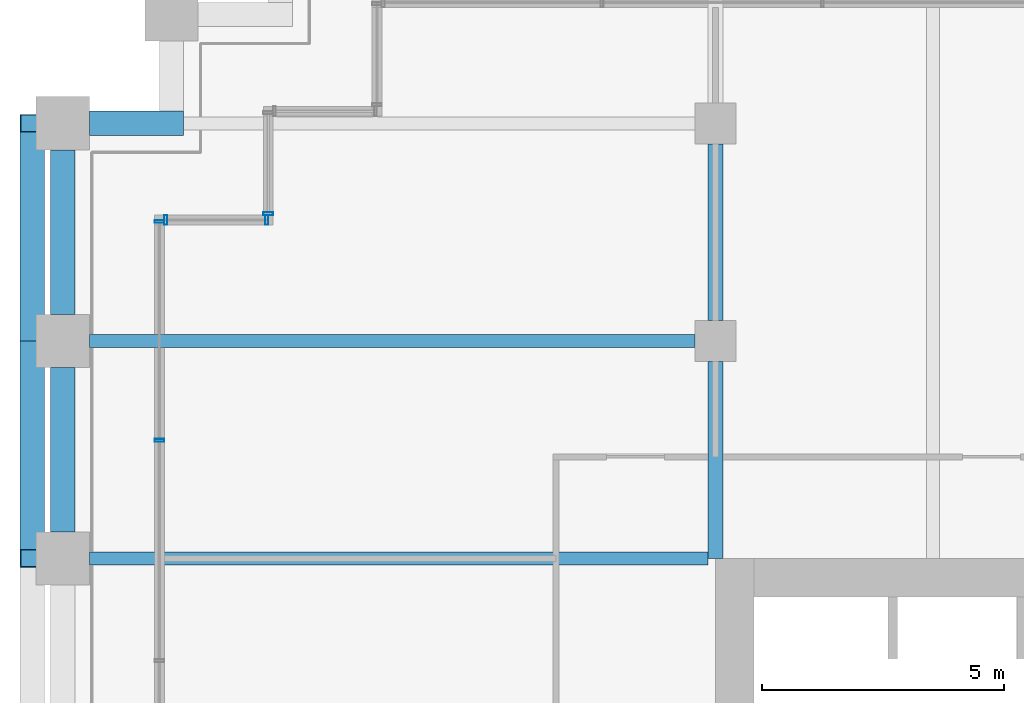
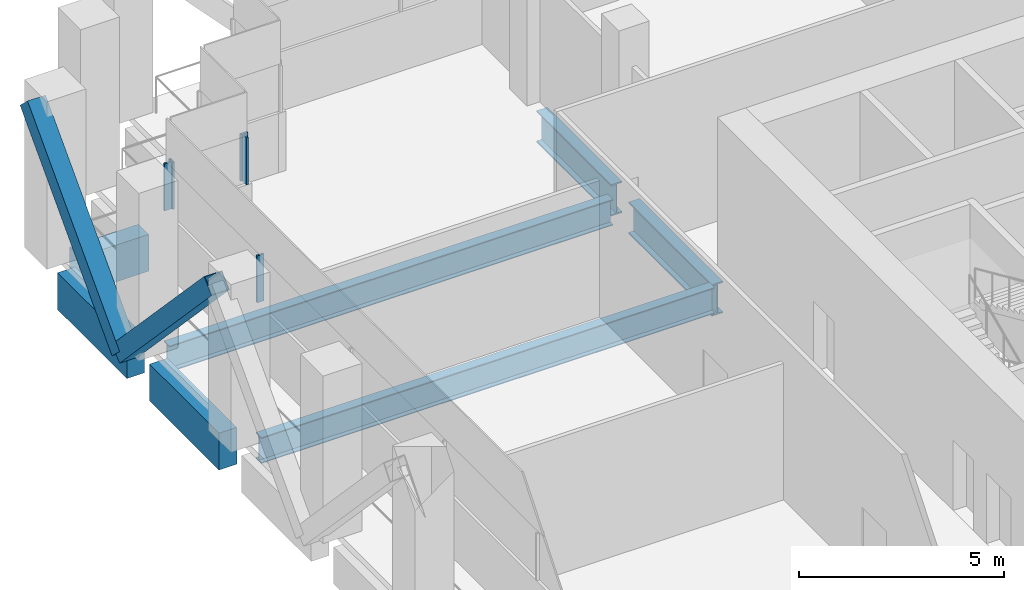
# One storey, part 17 of 44: 7 beams, 7 members, 3 elements without a shape of their own.
"""IFC4 building model written with IfcOpenShell, lengths in metres."""

from ifc_helpers import new_model, si_unit, direction, frame, origin, origin_2d, place, context, subcontext, project, spatial, rectangle, hollow_rectangle, i_section, extrude, material, material_profile, profile_set, type_object, element, aggregate, save


model = new_model("IFC4")

# Units and contexts
model_context = context("Model", 3, precision=1e-05, world=origin(), true_north=direction((0.0, 1.0)))
body_context = subcontext(model_context, "Body", "Model", "MODEL_VIEW")
ifc_project = project(units=[si_unit("LENGTHUNIT", "METRE"), si_unit("AREAUNIT", "SQUARE_METRE"), si_unit("VOLUMEUNIT", "CUBIC_METRE"), si_unit("PLANEANGLEUNIT", "RADIAN"), si_unit("MASSUNIT", "GRAM", prefix="KILO")], contexts=[model_context])

# Site, building, storey
site_placement = place(None, origin())
site = spatial("IfcSite", under=ifc_project, at=site_placement, CompositionType="ELEMENT")
building_placement = place(site_placement, origin())
building = spatial("IfcBuilding", under=site, at=building_placement, Name="Altepetl Exchange Towers", CompositionType="ELEMENT")
storey_placement = place(building_placement, frame((0.0, 0.0, 87.0)))
storey = spatial("IfcBuildingStorey", under=building, at=storey_placement, Name="L21 Refuge", CompositionType="ELEMENT", Elevation=87.0)

# Members
ifc_material_1 = material(Name="Steel S355", Category="steel")
ifc_material_profile_1 = material_profile(ifc_material_1, hollow_rectangle(XDim=0.508056640625, YDim=0.508056640625, WallThickness=0.017578125, at=origin_2d()), Name="HSS508X508X19.0")
ifc_profile_set_1 = profile_set([ifc_material_profile_1], Name="Steel S355")
member_type_1 = type_object("IfcMemberType", Name="Belt diagonal HSS508X508X19.0", PredefinedType="BRACE", material=ifc_profile_set_1)
for number, where, z_axis, x_axis, name in (
    (1, (26.3701171875, 67.5, 4.75), (0.0, -0.687744647911, -0.725952683906), (1.0, 0.0, 0.0), "brc:A:L21:021"),
    (2, (26.3701171875, 63.0, 0.0), (0.0, -0.687744647911, 0.725952683906), (1.0, 0.0, 0.0), "brc:A:L21:022"),
):
    element("IfcMember", number, at=place(storey_placement, frame(where, z_axis=z_axis, x_axis=x_axis)), inside=storey, type_object=member_type_1, Name=name, PredefinedType="BRACE", context=body_context, shape_type="SweptSolid", body=[
        extrude(hollow_rectangle(XDim=0.508056640625, YDim=0.508056640625, WallThickness=0.017578125, at=origin_2d()), origin(), (0.0, 0.0, 1.0), 6.543212890625),
    ])

# Beams
ifc_material_profile_2 = material_profile(ifc_material_1, i_section(OverallWidth=0.26806640625, OverallDepth=0.77392578125, WebThickness=0.015380859375, FlangeThickness=0.025390625, at=origin_2d()), Name="W30X132")
ifc_profile_set_2 = profile_set([ifc_material_profile_2], Name="Steel S355")
beam_type_1 = type_object("IfcBeamType", Name="Floor beam W30X132", PredefinedType="BEAM", material=ifc_profile_set_2)
beam_1_placement = place(storey_placement, frame((27.550048828125, 58.5, -0.5869140625), z_axis=(1.0, 0.0, 0.0), x_axis=(0.0, 1.0, 0.0)))
element("IfcBeam", 3, at=beam_1_placement, inside=storey, type_object=beam_type_1, Name="bm:A:L21:021", PredefinedType="BEAM", context=body_context, shape_type="SweptSolid", body=[
    extrude(i_section(OverallWidth=0.26806640625, OverallDepth=0.77392578125, WebThickness=0.015380859375, FlangeThickness=0.025390625, at=origin_2d()), origin(), (0.0, 0.0, 1.0), 12.7958984375),
])
beam_2_placement = place(storey_placement, frame((27.550048828125, 63.0, -0.5869140625), z_axis=(1.0, 0.0, 0.0), x_axis=(0.0, 1.0, 0.0)))
element("IfcBeam", 4, at=beam_2_placement, inside=storey, type_object=beam_type_1, Name="bm:A:L21:022", PredefinedType="BEAM", context=body_context, shape_type="SweptSolid", body=[
    extrude(i_section(OverallWidth=0.26806640625, OverallDepth=0.77392578125, WebThickness=0.015380859375, FlangeThickness=0.025390625, at=origin_2d()), origin(), (0.0, 0.0, 1.0), 12.52490234375),
])
ifc_material_profile_3 = material_profile(ifc_material_1, i_section(OverallWidth=0.30810546875, OverallDepth=0.943115234375, WebThickness=0.022216796875, FlangeThickness=0.039794921875, at=origin_2d()), Name="W36X232")
ifc_profile_set_3 = profile_set([ifc_material_profile_3], Name="Steel S355")
beam_type_2 = type_object("IfcBeamType", Name="Girder W36X232", PredefinedType="BEAM", material=ifc_profile_set_3)
beam_3_placement = place(storey_placement, frame((40.5, 67.074951171875, -0.67138671875), z_axis=(0.0, -1.0, 0.0), x_axis=(1.0, 0.0, 0.0)))
element("IfcBeam", 5, at=beam_3_placement, inside=storey, type_object=beam_type_2, Name="gd:A:L21:004", PredefinedType="BEAM", context=body_context, shape_type="SweptSolid", body=[
    extrude(i_section(OverallWidth=0.30810546875, OverallDepth=0.943115234375, WebThickness=0.022216796875, FlangeThickness=0.039794921875, at=origin_2d()), origin(), (0.0, 0.0, 1.0), 3.64990234375),
])
beam_4_placement = place(storey_placement, frame((40.5, 62.574951171875, -0.67138671875), z_axis=(0.0, -1.0, 0.0), x_axis=(1.0, 0.0, 0.0)))
element("IfcBeam", 6, at=beam_4_placement, inside=storey, type_object=beam_type_2, Name="gd:A:L21:005", PredefinedType="BEAM", context=body_context, shape_type="SweptSolid", body=[
    extrude(i_section(OverallWidth=0.30810546875, OverallDepth=0.943115234375, WebThickness=0.022216796875, FlangeThickness=0.039794921875, at=origin_2d()), origin(), (0.0, 0.0, 1.0), 4.074951171875),
])

# Curtain wall, members
ifc_material_2 = material(Name="Aluminium 6063-T6 glazing", Category="aluminium")
curtain_wall_type = type_object("IfcCurtainWallType", Name="Refuge slit glazing system", PredefinedType="NOTDEFINED", material=ifc_material_2)
curtain_wall_1_placement = place(storey_placement, origin())
curtain_wall_1 = element("IfcCurtainWall", 7, at=curtain_wall_1_placement, inside=storey, type_object=curtain_wall_type, Name="CW3 run", PredefinedType="NOTDEFINED")
ifc_material_3 = material(Name="Aluminium 6063-T6", Category="aluminium")
ifc_material_profile_4 = material_profile(ifc_material_3, hollow_rectangle(XDim=0.06005859375, YDim=0.199951171875, WallThickness=0.0029296875, at=origin_2d()), Name="Mullion 60x200 aluminium")
ifc_profile_set_4 = profile_set([ifc_material_profile_4], Name="Aluminium 6063-T6")
member_type_2 = type_object("IfcMemberType", Name="Mullion 60x200 aluminium", PredefinedType="MULLION", material=ifc_profile_set_4)
member_1_placement = place(storey_placement, frame((31.219970703125, 65.5, 1.800048828125), z_axis=(0.0, 0.0, 1.0), x_axis=(-1.0, 0.0, 0.0)))
member_1 = element("IfcMember", 8, at=member_1_placement, type_object=member_type_2, Name="MU2 mullion", PredefinedType="MULLION", context=body_context, shape_type="SweptSolid", body=[
    extrude(hollow_rectangle(XDim=0.06005859375, YDim=0.199951171875, WallThickness=0.0029296875, at=origin_2d()), origin(), (0.0, 0.0, 1.0), 1.39990234375),
])
member_2_placement = place(storey_placement, frame((29.1298828125, 65.5, 1.800048828125), z_axis=(0.0, 0.0, 1.0), x_axis=(-1.0, 0.0, 0.0)))
member_2 = element("IfcMember", 9, at=member_2_placement, type_object=member_type_2, Name="MU2 mullion", PredefinedType="MULLION", context=body_context, shape_type="SweptSolid", body=[
    extrude(hollow_rectangle(XDim=0.06005859375, YDim=0.199951171875, WallThickness=0.0029296875, at=origin_2d()), origin(), (0.0, 0.0, 1.0), 1.39990234375),
])
aggregate(curtain_wall_1, [member_1, member_2])

curtain_wall_2_placement = place(storey_placement, origin())
curtain_wall_2 = element("IfcCurtainWall", 10, at=curtain_wall_2_placement, inside=storey, type_object=curtain_wall_type, Name="CW3 run", PredefinedType="NOTDEFINED")
member_3_placement = place(storey_placement, frame((29.0, 65.469970703125, 1.800048828125), z_axis=(0.0, 0.0, 1.0), x_axis=(0.0, -1.0, 0.0)))
member_3 = element("IfcMember", 11, at=member_3_placement, type_object=member_type_2, Name="MU2 mullion", PredefinedType="MULLION", context=body_context, shape_type="SweptSolid", body=[
    extrude(hollow_rectangle(XDim=0.06005859375, YDim=0.199951171875, WallThickness=0.0029296875, at=origin_2d()), origin(), (0.0, 0.0, 1.0), 1.39990234375),
])
member_4_placement = place(storey_placement, frame((29.0, 60.94287109375, 1.800048828125), z_axis=(0.0, 0.0, 1.0), x_axis=(0.0, -1.0, 0.0)))
member_4 = element("IfcMember", 12, at=member_4_placement, type_object=member_type_2, Name="MU2 mullion", PredefinedType="MULLION", context=body_context, shape_type="SweptSolid", body=[
    extrude(hollow_rectangle(XDim=0.06005859375, YDim=0.199951171875, WallThickness=0.0029296875, at=origin_2d()), origin(), (0.0, 0.0, 1.0), 1.39990234375),
])
aggregate(curtain_wall_2, [member_3, member_4])

# Curtain wall, member
curtain_wall_3_placement = place(storey_placement, origin())
curtain_wall_3 = element("IfcCurtainWall", 13, at=curtain_wall_3_placement, inside=storey, type_object=curtain_wall_type, Name="CW3 run", PredefinedType="NOTDEFINED")
member_5_placement = place(storey_placement, frame((31.25, 65.6298828125, 1.800048828125), z_axis=(0.0, 0.0, 1.0), x_axis=(0.0, -1.0, 0.0)))
member_5 = element("IfcMember", 14, at=member_5_placement, type_object=member_type_2, Name="MU2 mullion", PredefinedType="MULLION", context=body_context, shape_type="SweptSolid", body=[
    extrude(hollow_rectangle(XDim=0.06005859375, YDim=0.199951171875, WallThickness=0.0029296875, at=origin_2d()), origin(), (0.0, 0.0, 1.0), 1.39990234375),
])
aggregate(curtain_wall_3, [member_5])

# Beams
ifc_material_4 = material(Name="Concrete C50/60 precast with tezontle facing", Category="concrete")
ifc_material_profile_5 = material_profile(ifc_material_4, rectangle(XDim=0.5, YDim=1.10009765625, at=origin_2d()), Name="500 x 1100")
ifc_profile_set_5 = profile_set([ifc_material_profile_5], Name="Concrete C50/60 precast with tezontle facing")
beam_type_3 = type_object("IfcBeamType", Name="Spandrel beam 500x1100 tezontle", PredefinedType="SPANDREL", material=ifc_profile_set_5)
beam_5_placement = place(storey_placement, frame((29.5, 67.5, -0.75), z_axis=(-1.0, 0.0, 0.0), x_axis=(0.0, -1.0, 0.0)))
element("IfcBeam", 15, at=beam_5_placement, inside=storey, type_object=beam_type_3, Name="sp:A:L21:035", PredefinedType="SPANDREL", context=body_context, shape_type="SweptSolid", body=[
    extrude(rectangle(XDim=0.5, YDim=1.10009765625, at=origin_2d()), origin(), (0.0, 0.0, 1.0), 1.949951171875),
])
for number, where, z_axis, x_axis, name in (
    (16, (27.0, 66.949951171875, -0.75), (0.0, -1.0, 0.0), (1.0, 0.0, 0.0), "sp:A:L21:036"),
    (17, (27.0, 62.449951171875, -0.75), (0.0, -1.0, 0.0), (1.0, 0.0, 0.0), "sp:A:L21:037"),
):
    element("IfcBeam", number, at=place(storey_placement, frame(where, z_axis=z_axis, x_axis=x_axis)), inside=storey, type_object=beam_type_3, Name=name, PredefinedType="SPANDREL", context=body_context, shape_type="SweptSolid", body=[
        extrude(rectangle(XDim=0.5, YDim=1.10009765625, at=origin_2d()), origin(), (0.0, 0.0, 1.0), 3.39990234375),
    ])

save(model, "model.ifc")
